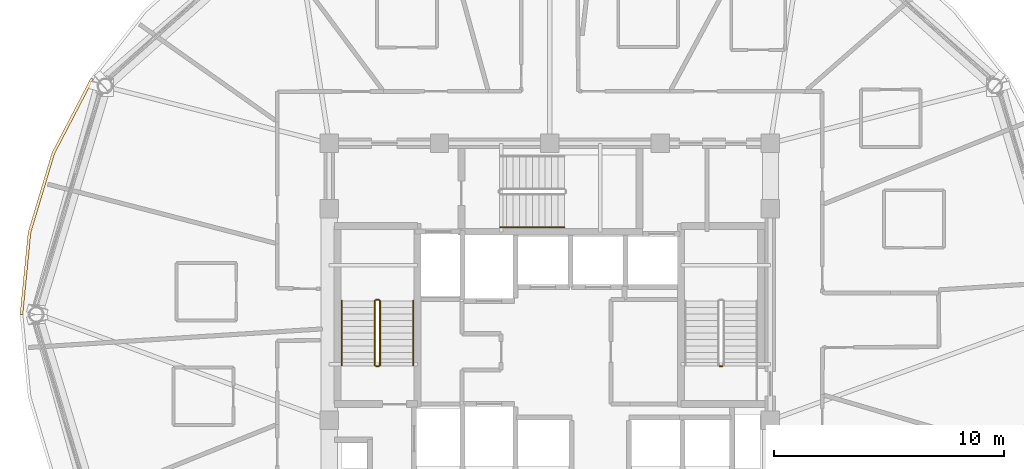
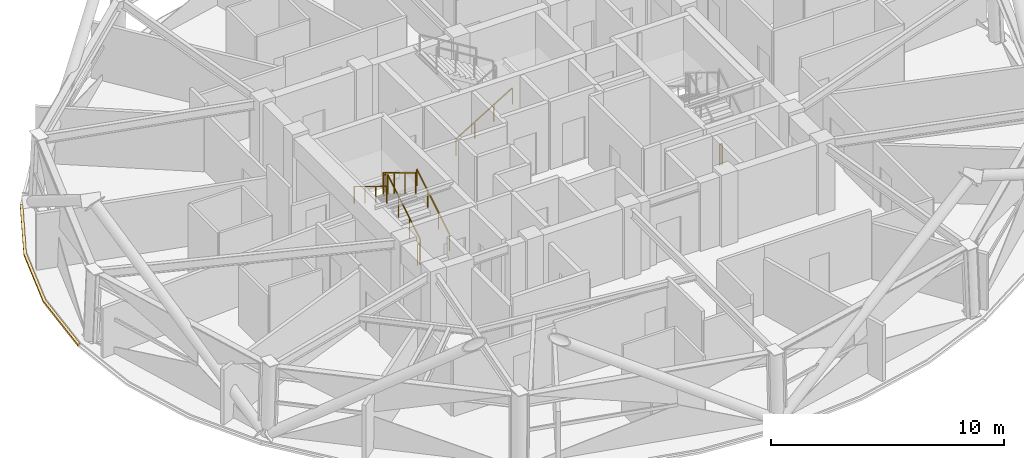
# One storey, part 12 of 14: 8 railings, 1 covering.
"""IFC4 building model written with IfcOpenShell, lengths in metres."""

from ifc_helpers import new_model, si_unit, direction, frame, origin, origin_2d, place, context, subcontext, project, spatial, polyline, rectangle, outline, extrude, material, layer, layer_set, type_object, element, save


model = new_model("IFC4")

# Units and contexts
model_context = context("Model", 3, precision=1e-05, world=origin(), true_north=direction((0.0, 1.0)))
body_context = subcontext(model_context, "Body", "Model", "MODEL_VIEW")
ifc_project = project(units=[si_unit("LENGTHUNIT", "METRE"), si_unit("AREAUNIT", "SQUARE_METRE"), si_unit("VOLUMEUNIT", "CUBIC_METRE"), si_unit("PLANEANGLEUNIT", "RADIAN"), si_unit("MASSUNIT", "GRAM", prefix="KILO")], contexts=[model_context])

# Site, building, storey
site_placement = place(None, origin())
site = spatial("IfcSite", under=ifc_project, at=site_placement, CompositionType="ELEMENT")
building_placement = place(site_placement, origin())
building = spatial("IfcBuilding", under=site, at=building_placement, Name="Vantalir Tower", CompositionType="ELEMENT")
storey_placement = place(building_placement, frame((0.0, 0.0, 204.89990234375)))
storey = spatial("IfcBuildingStorey", under=building, at=storey_placement, Name="L51", CompositionType="ELEMENT", Elevation=204.89990234375)

# Covering
ifc_material_1 = material(Name="Anodised champagne aluminium sill fascia", Category="aluminium")
ifc_layer = layer(ifc_material_1, 0.125)
ifc_layer_set = layer_set([ifc_layer], Name="Anodised champagne aluminium sill fascia")
covering_type = type_object("IfcCoveringType", Name="COV-SLAB-FASCIA-125", PredefinedType="CLADDING", material=ifc_layer_set)
covering_placement = place(storey_placement, frame((0.0, 0.0, -0.179931640625)))
element("IfcCovering", 1, at=covering_placement, inside=storey, type_object=covering_type, Name="L51 Perimeter Slab-Edge Sill Fascia 06", PredefinedType="CLADDING", context=body_context, shape_type="SweptSolid", body=[
    extrude(outline(polyline([(11.531982421875, 35.300048828125), (9.833984375, 32.0458984375), (8.79296875, 28.576904296875), (8.443115234375, 25.0), (8.568115234375, 25.0), (8.916015625, 28.554931640625), (9.950927734375, 32.0029296875), (11.639892578125, 35.237060546875), (11.531982421875, 35.300048828125)])), origin(), (0.0, 0.0, 1.0), 0.10498046875),
])

# Railings
ifc_material_2 = material(Name="Anodised aluminium and stainless steel guard", Category="steel")
railing_type_1 = type_object("IfcRailingType", Name="RAL-GUARD-1120", PredefinedType="GUARDRAIL", material=ifc_material_2)
railing_1_placement = place(storey_placement, frame((24.110107421875, 22.7900390625, 0.170654296875)))
element("IfcRailing", 2, at=railing_1_placement, inside=storey, type_object=railing_type_1, Name="L51 ST1 stair guard 1", PredefinedType="GUARDRAIL", context=body_context, shape_type="SweptSolid", body=[
    extrude(rectangle(XDim=0.048095703125, YDim=0.048095703125, at=origin_2d()), frame((0.0, 0.0, 1.09619140625), z_axis=(0.0, 0.854202870247, 0.519939858505), x_axis=(-1.0, 0.0, 0.0)), (0.0, 0.0, 1.0), 3.278076171875),
    extrude(rectangle(XDim=0.0419921875, YDim=0.0419921875, at=origin_2d()), origin(), (0.0, 0.0, 1.0), 1.072021484375),
    extrude(rectangle(XDim=0.0419921875, YDim=0.0419921875, at=origin_2d()), frame((0.0, 0.933349609375, 0.568115234375)), (0.0, 0.0, 1.0), 1.072021484375),
    extrude(rectangle(XDim=0.0419921875, YDim=0.0419921875, at=origin_2d()), frame((0.0, 1.86669921875, 1.13623046875)), (0.0, 0.0, 1.0), 1.072021484375),
    extrude(rectangle(XDim=0.0419921875, YDim=0.0419921875, at=origin_2d()), frame((0.0, 2.800048828125, 1.704345703125)), (0.0, 0.0, 1.0), 1.072021484375),
])
railing_2_placement = place(storey_placement, frame((24.06005859375, 25.639892578125, 1.875)))
element("IfcRailing", 3, at=railing_2_placement, inside=storey, type_object=railing_type_1, Name="L51 ST1 stair guard 2", PredefinedType="GUARDRAIL", context=body_context, shape_type="SweptSolid", body=[
    extrude(rectangle(XDim=0.048095703125, YDim=0.048095703125, at=origin_2d()), frame((0.0, 0.0, 1.09619140625), z_axis=(-1.0, 0.0, 0.0), x_axis=(0.0, -1.0, 0.0)), (0.0, 0.0, 1.0), 0.1201171875),
    extrude(rectangle(XDim=0.0419921875, YDim=0.0419921875, at=origin_2d()), origin(), (0.0, 0.0, 1.0), 1.072021484375),
    extrude(rectangle(XDim=0.0419921875, YDim=0.0419921875, at=origin_2d()), frame((-0.1201171875, 0.0, 0.0)), (0.0, 0.0, 1.0), 1.072021484375),
])
railing_3_placement = place(storey_placement, frame((23.889892578125, 25.590087890625, 2.045654296875)))
element("IfcRailing", 4, at=railing_3_placement, inside=storey, type_object=railing_type_1, Name="L51 ST1 stair guard 3", PredefinedType="GUARDRAIL", context=body_context, shape_type="SweptSolid", body=[
    extrude(rectangle(XDim=0.048095703125, YDim=0.048095703125, at=origin_2d()), frame((0.0, 0.0, 1.09619140625), z_axis=(0.0, -0.854202870247, 0.519939858505), x_axis=(1.0, 0.0, 0.0)), (0.0, 0.0, 1.0), 3.278076171875),
    extrude(rectangle(XDim=0.0419921875, YDim=0.0419921875, at=origin_2d()), origin(), (0.0, 0.0, 1.0), 1.072021484375),
    extrude(rectangle(XDim=0.0419921875, YDim=0.0419921875, at=origin_2d()), frame((0.0, -0.933349609375, 0.568115234375)), (0.0, 0.0, 1.0), 1.072021484375),
    extrude(rectangle(XDim=0.0419921875, YDim=0.0419921875, at=origin_2d()), frame((0.0, -1.86669921875, 1.13623046875)), (0.0, 0.0, 1.0), 1.072021484375),
    extrude(rectangle(XDim=0.0419921875, YDim=0.0419921875, at=origin_2d()), frame((0.0, -2.800048828125, 1.704345703125)), (0.0, 0.0, 1.0), 1.072021484375),
])
for number, where, name in (
    (5, (24.06005859375, 22.739990234375, 0.0), "L51 ST1 stair guard 4"),
    (6, (39.010009765625, 22.739990234375, 0.0), "L51 ST2 stair guard 4"),
):
    element("IfcRailing", number, at=place(storey_placement, frame(where)), inside=storey, type_object=railing_type_1, Name=name, PredefinedType="GUARDRAIL", context=body_context, shape_type="SweptSolid", body=[
        extrude(rectangle(XDim=0.048095703125, YDim=0.048095703125, at=origin_2d()), frame((0.0, 0.0, 1.09619140625), z_axis=(-1.0, 0.0, 0.0), x_axis=(0.0, -1.0, 0.0)), (0.0, 0.0, 1.0), 0.1201171875),
        extrude(rectangle(XDim=0.0419921875, YDim=0.0419921875, at=origin_2d()), origin(), (0.0, 0.0, 1.0), 1.072021484375),
        extrude(rectangle(XDim=0.0419921875, YDim=0.0419921875, at=origin_2d()), frame((-0.1201171875, 0.0, 0.0)), (0.0, 0.0, 1.0), 1.072021484375),
    ])
ifc_material_3 = material(Name="Brushed stainless steel tubular handrail", Category="steel")
railing_type_2 = type_object("IfcRailingType", Name="RAL-HANDRAIL-900", PredefinedType="HANDRAIL", material=ifc_material_3)
railing_4_placement = place(storey_placement, frame((25.550048828125, 22.7900390625, 0.170654296875)))
element("IfcRailing", 7, at=railing_4_placement, inside=storey, type_object=railing_type_2, Name="L51 ST1 stair handrail 1", PredefinedType="HANDRAIL", context=body_context, shape_type="SweptSolid", body=[
    extrude(rectangle(XDim=0.048095703125, YDim=0.048095703125, at=origin_2d()), frame((0.0, 0.0, 0.8759765625), z_axis=(0.0, 0.854202870247, 0.519939858505), x_axis=(-1.0, 0.0, 0.0)), (0.0, 0.0, 1.0), 3.278076171875),
    extrude(rectangle(XDim=0.0419921875, YDim=0.0419921875, at=origin_2d()), origin(), (0.0, 0.0, 1.0), 0.851806640625),
    extrude(rectangle(XDim=0.0419921875, YDim=0.0419921875, at=origin_2d()), frame((0.0, 0.933349609375, 0.568115234375)), (0.0, 0.0, 1.0), 0.851806640625),
    extrude(rectangle(XDim=0.0419921875, YDim=0.0419921875, at=origin_2d()), frame((0.0, 1.86669921875, 1.13623046875)), (0.0, 0.0, 1.0), 0.851806640625),
    extrude(rectangle(XDim=0.0419921875, YDim=0.0419921875, at=origin_2d()), frame((0.0, 2.800048828125, 1.704345703125)), (0.0, 0.0, 1.0), 0.851806640625),
])
railing_5_placement = place(storey_placement, frame((22.449951171875, 25.590087890625, 2.045654296875)))
element("IfcRailing", 8, at=railing_5_placement, inside=storey, type_object=railing_type_2, Name="L51 ST1 stair handrail 2", PredefinedType="HANDRAIL", context=body_context, shape_type="SweptSolid", body=[
    extrude(rectangle(XDim=0.048095703125, YDim=0.048095703125, at=origin_2d()), frame((0.0, 0.0, 0.8759765625), z_axis=(0.0, -0.854202870247, 0.519939858505), x_axis=(1.0, 0.0, 0.0)), (0.0, 0.0, 1.0), 3.278076171875),
    extrude(rectangle(XDim=0.0419921875, YDim=0.0419921875, at=origin_2d()), origin(), (0.0, 0.0, 1.0), 0.851806640625),
    extrude(rectangle(XDim=0.0419921875, YDim=0.0419921875, at=origin_2d()), frame((0.0, -0.933349609375, 0.568115234375)), (0.0, 0.0, 1.0), 0.851806640625),
    extrude(rectangle(XDim=0.0419921875, YDim=0.0419921875, at=origin_2d()), frame((0.0, -1.86669921875, 1.13623046875)), (0.0, 0.0, 1.0), 0.851806640625),
    extrude(rectangle(XDim=0.0419921875, YDim=0.0419921875, at=origin_2d()), frame((0.0, -2.800048828125, 1.704345703125)), (0.0, 0.0, 1.0), 0.851806640625),
])
railing_6_placement = place(storey_placement, frame((29.340087890625, 28.800048828125, 0.170654296875)))
element("IfcRailing", 9, at=railing_6_placement, inside=storey, type_object=railing_type_2, Name="L51 ST3 stair handrail 1", PredefinedType="HANDRAIL", context=body_context, shape_type="SweptSolid", body=[
    extrude(rectangle(XDim=0.048095703125, YDim=0.048095703125, at=origin_2d()), frame((0.0, 0.0, 0.8759765625), z_axis=(0.854182733786, 0.0, 0.519972939009), x_axis=(0.0, 1.0, 0.0)), (0.0, 0.0, 1.0), 3.27783203125),
    extrude(rectangle(XDim=0.0419921875, YDim=0.0419921875, at=origin_2d()), origin(), (0.0, 0.0, 1.0), 0.851806640625),
    extrude(rectangle(XDim=0.0419921875, YDim=0.0419921875, at=origin_2d()), frame((0.933349609375, 0.0, 0.568115234375)), (0.0, 0.0, 1.0), 0.851806640625),
    extrude(rectangle(XDim=0.0419921875, YDim=0.0419921875, at=origin_2d()), frame((1.866455078125, 0.0, 1.13623046875)), (0.0, 0.0, 1.0), 0.851806640625),
    extrude(rectangle(XDim=0.0419921875, YDim=0.0419921875, at=origin_2d()), frame((2.7998046875, 0.0, 1.704345703125)), (0.0, 0.0, 1.0), 0.851806640625),
])

save(model, "model.ifc")
